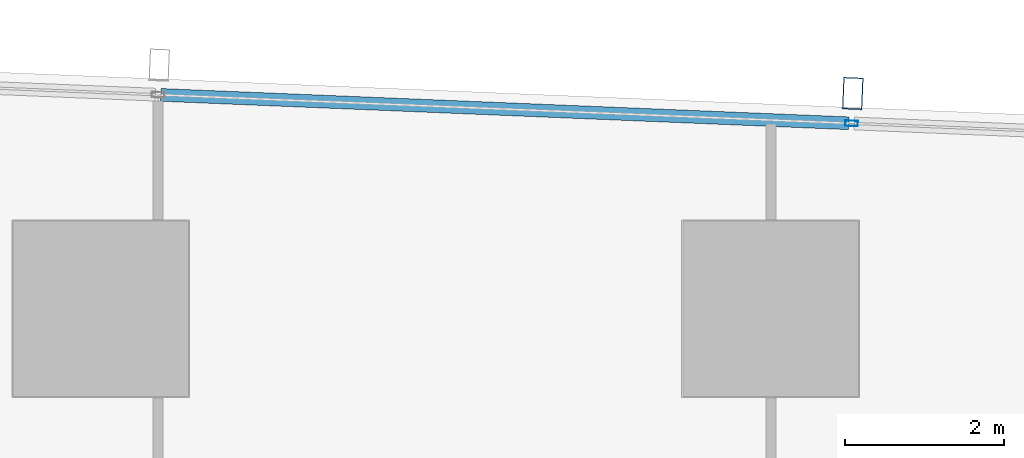
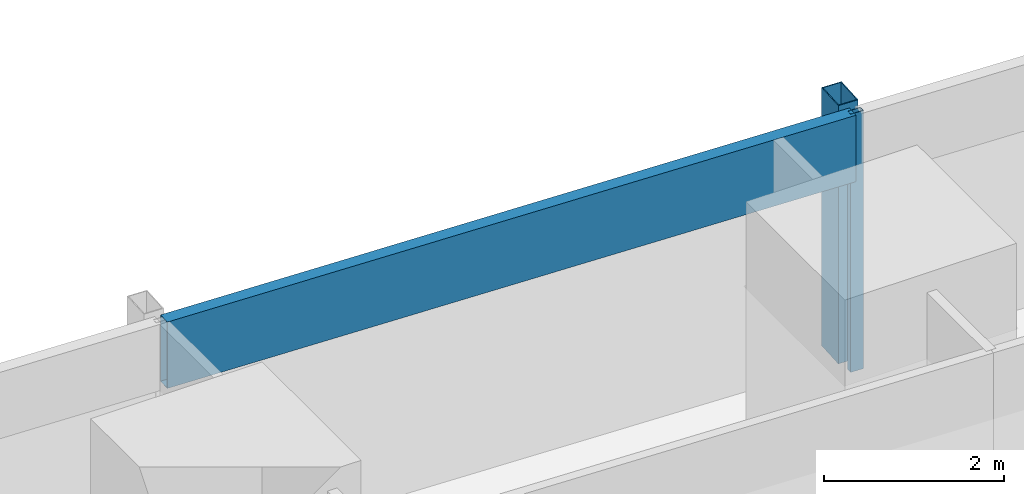
# One storey, part 20 of 42: 3 members, 1 element without a shape of its own.
"""IFC4 building model written with IfcOpenShell, lengths in metres."""

from ifc_helpers import new_model, si_unit, direction, frame, origin, origin_2d, place, context, subcontext, project, spatial, hollow_rectangle, extrude, material, material_profile, profile_set, type_object, element, aggregate, save


model = new_model("IFC4")

# Units and contexts
model_context = context("Model", 3, precision=1e-05, world=origin(), true_north=direction((0.0, 1.0)))
body_context = subcontext(model_context, "Body", "Model", "MODEL_VIEW")
ifc_project = project(units=[si_unit("LENGTHUNIT", "METRE"), si_unit("AREAUNIT", "SQUARE_METRE"), si_unit("VOLUMEUNIT", "CUBIC_METRE"), si_unit("PLANEANGLEUNIT", "RADIAN"), si_unit("MASSUNIT", "GRAM", prefix="KILO")], contexts=[model_context])

# Site, building, storey
site_placement = place(None, origin())
site = spatial("IfcSite", under=ifc_project, at=site_placement, CompositionType="ELEMENT")
building_placement = place(site_placement, origin())
building = spatial("IfcBuilding", under=site, at=building_placement, Name="Rekha Terrace Tower", CompositionType="ELEMENT")
storey_placement = place(building_placement, frame((0.0, 0.0, 55.39990234375)))
storey = spatial("IfcBuildingStorey", under=building, at=storey_placement, Name="L13", CompositionType="ELEMENT", Elevation=55.39990234375)

# Curtain wall, members
ifc_material_1 = material(Name="Aluminium framing", Category="aluminium")
curtain_wall_type = type_object("IfcCurtainWallType", Name="CW3 north unitised glazing", PredefinedType="USERDEFINED", material=ifc_material_1)
curtain_wall_placement = place(storey_placement, origin())
curtain_wall = element("IfcCurtainWall", 1, at=curtain_wall_placement, inside=storey, type_object=curtain_wall_type, Name="CW3 unitised curtain wall", ObjectType="UNITISED CURTAIN WALL", PredefinedType="USERDEFINED")
ifc_material_2 = material(Name="Steel S355 with fluorocarbon finish", Category="steel")
ifc_material_profile_1 = material_profile(ifc_material_2, hollow_rectangle(XDim=0.25, YDim=0.39990234375, WallThickness=0.012451171875, at=origin_2d()), Name="RHS400x250x12.5")
ifc_profile_set_1 = profile_set([ifc_material_profile_1], Name="Steel S355 with fluorocarbon finish")
member_type_1 = type_object("IfcMemberType", Name="BL1 facade blade RHS 400 x 250", PredefinedType="USERDEFINED", material=ifc_profile_set_1)
member_1_placement = place(storey_placement, frame((51.430419921875, 61.499267578125, 0.0), z_axis=(0.0, 0.0, 1.0), x_axis=(-0.99915196507, 0.041174636562, 0.0)))
member_1 = element("IfcMember", 2, at=member_1_placement, type_object=member_type_1, Name="Facade blade", ObjectType="FACADE BLADE", PredefinedType="USERDEFINED", context=body_context, shape_type="SweptSolid", body=[
    extrude(hollow_rectangle(XDim=0.25, YDim=0.39990234375, WallThickness=0.012451171875, at=origin_2d()), origin(), (0.0, 0.0, 1.0), 3.5),
])
ifc_material_3 = material(Name="Aluminium mullion section", Category="aluminium")
ifc_material_profile_2 = material_profile(ifc_material_3, hollow_rectangle(XDim=0.070068359375, YDim=0.159912109375, WallThickness=0.00390625, at=origin_2d()), Name="AL RHS 70x160")
ifc_profile_set_2 = profile_set([ifc_material_profile_2], Name="Aluminium mullion section")
member_type_2 = type_object("IfcMemberType", Name="CW3 mullion RHS 70 x 160", PredefinedType="MULLION", material=ifc_profile_set_2)
member_2_placement = place(storey_placement, frame((51.4150390625, 61.12451171875, 0.0), z_axis=(0.0, 0.0, 1.0), x_axis=(-0.041173846041, -0.999151997647, 0.0)))
member_2 = element("IfcMember", 3, at=member_2_placement, type_object=member_type_2, Name="CW3 mullion 3", PredefinedType="MULLION", context=body_context, shape_type="SweptSolid", body=[
    extrude(hollow_rectangle(XDim=0.070068359375, YDim=0.159912109375, WallThickness=0.00390625, at=origin_2d()), origin(), (0.0, 0.0, 1.0), 3.5),
])
ifc_material_4 = material(Name="Insulated aluminium spandrel box", Category="aluminium")
ifc_material_profile_3 = material_profile(ifc_material_4, hollow_rectangle(XDim=0.159912109375, YDim=0.89990234375, WallThickness=0.0029296875, at=origin_2d()), Name="AL SPANDREL BOX 160x900")
ifc_profile_set_3 = profile_set([ifc_material_profile_3], Name="Insulated aluminium spandrel box")
member_type_3 = type_object("IfcMemberType", Name="CW3 spandrel transom 160 x 900", PredefinedType="USERDEFINED", material=ifc_profile_set_3)
member_3_placement = place(storey_placement, frame((51.380126953125, 61.1259765625, 3.050048828125), z_axis=(-0.999152128669, 0.041170666459, 0.0), x_axis=(-0.041170666459, -0.999152128669, 0.0)))
member_3 = element("IfcMember", 4, at=member_3_placement, type_object=member_type_3, Name="CW3 spandrel transom 3", ObjectType="TRANSOM", PredefinedType="USERDEFINED", context=body_context, shape_type="SweptSolid", body=[
    extrude(hollow_rectangle(XDim=0.159912109375, YDim=0.89990234375, WallThickness=0.0029296875, at=origin_2d()), origin(), (0.0, 0.0, 1.0), 8.634033203125),
])
aggregate(curtain_wall, [member_2, member_3, member_1])

save(model, "model.ifc")
